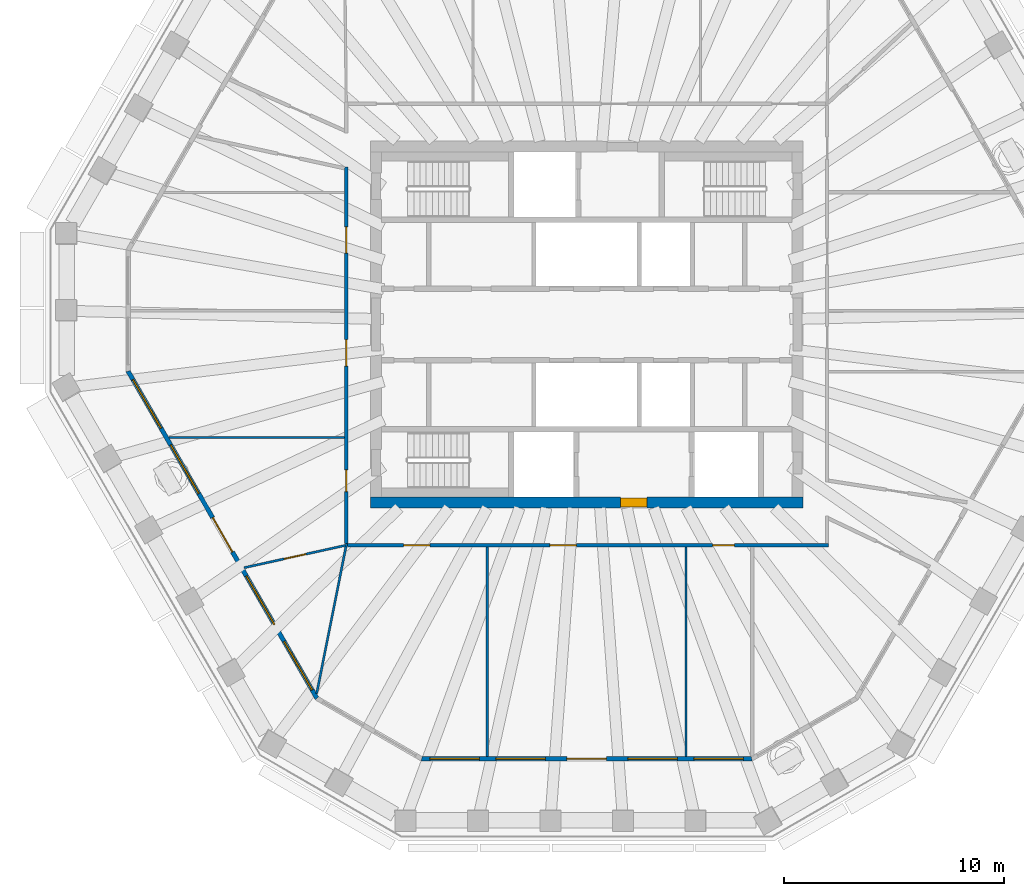
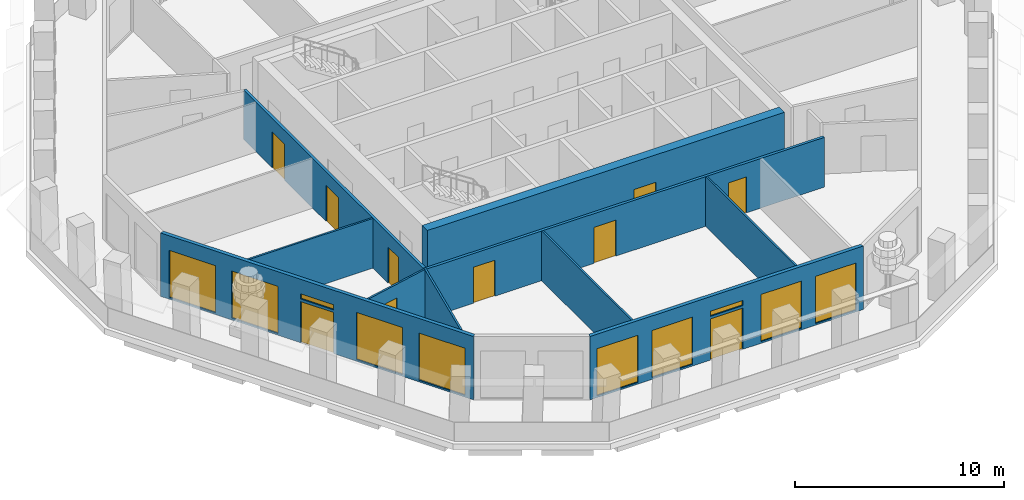
# One storey, part 3 of 11: 10 doors, 10 walls, 10 windows, 20 openings.
"""IFC4 building model written with IfcOpenShell, lengths in metres."""

from ifc_helpers import new_model, si_unit, direction, frame, frame_2d, origin, place, context, subcontext, project, spatial, polyline, rectangle, outline, extrude, material, layer, layer_set, type_object, element, fill, save


model = new_model("IFC4")

# Units and contexts
model_context = context("Model", 3, precision=1e-05, world=origin(), true_north=direction((0.0, 1.0)))
body_context = subcontext(model_context, "Body", "Model", "MODEL_VIEW")
ifc_project = project(units=[si_unit("LENGTHUNIT", "METRE"), si_unit("AREAUNIT", "SQUARE_METRE"), si_unit("VOLUMEUNIT", "CUBIC_METRE"), si_unit("PLANEANGLEUNIT", "RADIAN"), si_unit("MASSUNIT", "GRAM", prefix="KILO")], contexts=[model_context])

# Site, building, storey
site_placement = place(None, origin())
site = spatial("IfcSite", under=ifc_project, at=site_placement, CompositionType="ELEMENT")
building_placement = place(site_placement, origin())
building = spatial("IfcBuilding", under=site, at=building_placement, Name="Frailejon Research Tower", CompositionType="ELEMENT")
storey_placement = place(building_placement, frame((0.0, 0.0, 283.0)))
storey = spatial("IfcBuildingStorey", under=building, at=storey_placement, Name="L62", CompositionType="ELEMENT", Elevation=283.0)

# Wall, opening, door
ifc_material_1 = material(Name="Concrete C50/60", Category="concrete")
ifc_layer_1 = layer(ifc_material_1, 0.5)
ifc_layer_set_1 = layer_set([ifc_layer_1], Name="Core shear wall 500 C50/60")
wall_type_1 = type_object("IfcWallType", Name="Core shear wall 500 C50/60", PredefinedType="SHEAR", material=ifc_layer_set_1)
wall_1_placement = place(storey_placement, frame((-9.85009765625, -8.10009765625, 0.0), z_axis=(0.0, 0.0, 1.0), x_axis=(1.0, 0.0, 0.0)))
wall_1 = element("IfcWall", 1, at=wall_1_placement, inside=storey, type_object=wall_type_1, Name="Core shear wall", PredefinedType="SHEAR", context=body_context, shape_type="SweptSolid", body=[
    extrude(rectangle(XDim=19.7001953125, YDim=0.5, at=frame_2d((9.85009765625, 0.0))), origin(), (0.0, 0.0, 1.0), 3.699951171875),
])
opening_1_placement = place(wall_1_placement, frame((11.39990234375, 0.0, 0.0)))
opening_1 = element("IfcOpeningElement", 2, at=opening_1_placement, cuts=wall_1, Name="Opening D3", PredefinedType="OPENING", context=body_context, shape_type="SweptSolid", body=[
    extrude(rectangle(XDim=1.199951171875, YDim=2.10009765625, at=frame_2d((0.60009765625, 1.050048828125))), frame((0.0, 0.260009765625, 0.0), z_axis=(0.0, -1.0, 0.0), x_axis=(1.0, 0.0, 0.0)), (0.0, 0.0, 1.0), 0.52001953125),
])
ifc_material_2 = material(Name="Steel", Category="steel")
door_type_1 = type_object("IfcDoorType", Name="Firefighting lobby door", OperationType="SINGLE_SWING_LEFT", PredefinedType="DOOR", material=ifc_material_2)
door_1_placement = place(opening_1_placement, origin())
door_1 = element("IfcDoor", 3, at=door_1_placement, inside=storey, type_object=door_type_1, Name="Firefighting lobby door", OperationType="SINGLE_SWING_LEFT", OverallHeight=2.10009765625, OverallWidth=1.199951171875, PredefinedType="DOOR", context=body_context, shape_type="SweptSolid", body=[
    extrude(rectangle(XDim=1.199951171875, YDim=2.10009765625, at=frame_2d((0.60009765625, 1.050048828125))), frame((0.0, 0.199951171875, 0.0), z_axis=(0.0, -1.0, 0.0), x_axis=(1.0, 0.0, 0.0)), (0.0, 0.0, 1.0), 0.39990234375),
])
fill(opening_1, door_1)

# Wall, openings, doors
ifc_material_3 = material(Name="Gypsum board and masonry partition", Category="masonry")
ifc_layer_2 = layer(ifc_material_3, 0.14990234375)
ifc_layer_set_2 = layer_set([ifc_layer_2], Name="Corridor wall EI 60, gypsum on steel studs 150")
wall_type_2 = type_object("IfcWallType", Name="Corridor wall EI 60, gypsum on steel studs 150", PredefinedType="PARTITIONING", material=ifc_layer_set_2)
wall_2_placement = place(storey_placement, frame((-10.949951171875, -9.97509765625, 0.0), z_axis=(0.0, 0.0, 1.0), x_axis=(0.0, 1.0, 0.0)))
wall_2 = element("IfcWall", 4, at=wall_2_placement, inside=storey, type_object=wall_type_2, Name="T:IW:L62:008", PredefinedType="PARTITIONING", context=body_context, shape_type="SweptSolid", body=[
    extrude(rectangle(XDim=17.150146484375, YDim=0.14990234375, at=frame_2d((8.5751953125, 0.0))), origin(), (0.0, 0.0, 1.0), 2.89990234375),
])
opening_2_placement = place(wall_2_placement, frame((13.222900390625, 0.0, 0.0)))
opening_2 = element("IfcOpeningElement", 5, at=opening_2_placement, cuts=wall_2, Name="Opening D2195", PredefinedType="OPENING", context=body_context, shape_type="SweptSolid", body=[
    extrude(rectangle(XDim=1.199951171875, YDim=2.10009765625, at=frame_2d((0.60009765625, 1.050048828125))), frame((0.0, 0.0849609375, 0.0), z_axis=(0.0, -1.0, 0.0), x_axis=(1.0, 0.0, 0.0)), (0.0, 0.0, 1.0), 0.169921875),
])
opening_3_placement = place(wall_2_placement, frame((8.08642578125, 0.0, 0.0)))
opening_3 = element("IfcOpeningElement", 6, at=opening_3_placement, cuts=wall_2, Name="Opening D2196", PredefinedType="OPENING", context=body_context, shape_type="SweptSolid", body=[
    extrude(rectangle(XDim=1.199951171875, YDim=2.10009765625, at=frame_2d((0.60009765625, 1.050048828125))), frame((0.0, 0.0849609375, 0.0), z_axis=(0.0, -1.0, 0.0), x_axis=(1.0, 0.0, 0.0)), (0.0, 0.0, 1.0), 0.169921875),
])
opening_4_placement = place(wall_2_placement, frame((2.361572265625, 0.0, 0.0)))
opening_4 = element("IfcOpeningElement", 7, at=opening_4_placement, cuts=wall_2, Name="Opening D2197", PredefinedType="OPENING", context=body_context, shape_type="SweptSolid", body=[
    extrude(rectangle(XDim=1.0, YDim=2.10009765625, at=frame_2d((0.5, 1.050048828125))), frame((0.0, 0.0849609375, 0.0), z_axis=(0.0, -1.0, 0.0), x_axis=(1.0, 0.0, 0.0)), (0.0, 0.0, 1.0), 0.169921875),
])
ifc_material_4 = material(Name="Timber door leaf", Category="wood")
door_type_2 = type_object("IfcDoorType", Name="Door single leaf, timber, steel frame 1000", OperationType="NOTDEFINED", PredefinedType="DOOR", material=ifc_material_4)
door_2_placement = place(opening_4_placement, origin())
door_2 = element("IfcDoor", 8, at=door_2_placement, inside=storey, type_object=door_type_2, Name="D2197", OperationType="SINGLE_SWING_RIGHT", OverallHeight=2.10009765625, OverallWidth=1.0, PredefinedType="DOOR", context=body_context, shape_type="SweptSolid", body=[
    extrude(rectangle(XDim=1.0, YDim=2.10009765625, at=frame_2d((0.5, 1.050048828125))), frame((0.0, 0.02490234375, 0.0), z_axis=(0.0, -1.0, 0.0), x_axis=(1.0, 0.0, 0.0)), (0.0, 0.0, 1.0), 0.050048828125),
])
fill(opening_4, door_2)
ifc_material_5 = material(Name="Timber door leaf", Category="wood")
door_type_3 = type_object("IfcDoorType", Name="Door single leaf, timber, steel frame 1200", OperationType="NOTDEFINED", PredefinedType="DOOR", material=ifc_material_5)
door_3_placement = place(opening_2_placement, origin())
door_3 = element("IfcDoor", 9, at=door_3_placement, inside=storey, type_object=door_type_3, Name="D2195", OperationType="DOUBLE_DOOR_SINGLE_SWING", OverallHeight=2.10009765625, OverallWidth=1.199951171875, PredefinedType="DOOR", context=body_context, shape_type="SweptSolid", body=[
    extrude(rectangle(XDim=1.199951171875, YDim=2.10009765625, at=frame_2d((0.60009765625, 1.050048828125))), frame((0.0, 0.02490234375, 0.0), z_axis=(0.0, -1.0, 0.0), x_axis=(1.0, 0.0, 0.0)), (0.0, 0.0, 1.0), 0.050048828125),
])
fill(opening_2, door_3)
door_4_placement = place(opening_3_placement, origin())
door_4 = element("IfcDoor", 10, at=door_4_placement, inside=storey, type_object=door_type_3, Name="D2196", OperationType="DOUBLE_DOOR_SINGLE_SWING", OverallHeight=2.10009765625, OverallWidth=1.199951171875, PredefinedType="DOOR", context=body_context, shape_type="SweptSolid", body=[
    extrude(rectangle(XDim=1.199951171875, YDim=2.10009765625, at=frame_2d((0.60009765625, 1.050048828125))), frame((0.0, 0.02490234375, 0.0), z_axis=(0.0, -1.0, 0.0), x_axis=(1.0, 0.0, 0.0)), (0.0, 0.0, 1.0), 0.050048828125),
])
fill(opening_3, door_4)

wall_3_placement = place(storey_placement, frame((-10.89990234375, -10.050048828125, 0.0), z_axis=(0.0, 0.0, 1.0), x_axis=(1.0, 0.0, 0.0)))
wall_3 = element("IfcWall", 11, at=wall_3_placement, inside=storey, type_object=wall_type_2, Name="T:IW:L62:010", PredefinedType="PARTITIONING", context=body_context, shape_type="SweptSolid", body=[
    extrude(rectangle(XDim=21.9248046875, YDim=0.14990234375, at=frame_2d((10.96240234375, 0.0))), origin(), (0.0, 0.0, 1.0), 2.89990234375),
])
opening_5_placement = place(wall_3_placement, frame((2.562255859375, 0.0, 0.0)))
opening_5 = element("IfcOpeningElement", 12, at=opening_5_placement, cuts=wall_3, Name="Opening D2199", PredefinedType="OPENING", context=body_context, shape_type="SweptSolid", body=[
    extrude(rectangle(XDim=1.199951171875, YDim=2.10009765625, at=frame_2d((0.60009765625, 1.050048828125))), frame((0.0, 0.0849609375, 0.0), z_axis=(0.0, -1.0, 0.0), x_axis=(1.0, 0.0, 0.0)), (0.0, 0.0, 1.0), 0.169921875),
])
opening_6_placement = place(wall_3_placement, frame((9.227294921875, 0.0, 0.0)))
opening_6 = element("IfcOpeningElement", 13, at=opening_6_placement, cuts=wall_3, Name="Opening D2200", PredefinedType="OPENING", context=body_context, shape_type="SweptSolid", body=[
    extrude(rectangle(XDim=1.199951171875, YDim=2.10009765625, at=frame_2d((0.60009765625, 1.050048828125))), frame((0.0, 0.0849609375, 0.0), z_axis=(0.0, -1.0, 0.0), x_axis=(1.0, 0.0, 0.0)), (0.0, 0.0, 1.0), 0.169921875),
])
opening_7_placement = place(wall_3_placement, frame((16.6318359375, 0.0, 0.0)))
opening_7 = element("IfcOpeningElement", 14, at=opening_7_placement, cuts=wall_3, Name="Opening D2201", PredefinedType="OPENING", context=body_context, shape_type="SweptSolid", body=[
    extrude(rectangle(XDim=1.0, YDim=2.10009765625, at=frame_2d((0.5, 1.050048828125))), frame((0.0, 0.0849609375, 0.0), z_axis=(0.0, -1.0, 0.0), x_axis=(1.0, 0.0, 0.0)), (0.0, 0.0, 1.0), 0.169921875),
])
door_5_placement = place(opening_7_placement, origin())
door_5 = element("IfcDoor", 15, at=door_5_placement, inside=storey, type_object=door_type_2, Name="D2201", OperationType="SINGLE_SWING_LEFT", OverallHeight=2.10009765625, OverallWidth=1.0, PredefinedType="DOOR", context=body_context, shape_type="SweptSolid", body=[
    extrude(rectangle(XDim=1.0, YDim=2.10009765625, at=frame_2d((0.5, 1.050048828125))), frame((0.0, 0.02490234375, 0.0), z_axis=(0.0, -1.0, 0.0), x_axis=(1.0, 0.0, 0.0)), (0.0, 0.0, 1.0), 0.050048828125),
])
fill(opening_7, door_5)
door_6_placement = place(opening_5_placement, origin())
door_6 = element("IfcDoor", 16, at=door_6_placement, inside=storey, type_object=door_type_3, Name="D2199", OperationType="DOUBLE_DOOR_SINGLE_SWING", OverallHeight=2.10009765625, OverallWidth=1.199951171875, PredefinedType="DOOR", context=body_context, shape_type="SweptSolid", body=[
    extrude(rectangle(XDim=1.199951171875, YDim=2.10009765625, at=frame_2d((0.60009765625, 1.050048828125))), frame((0.0, 0.02490234375, 0.0), z_axis=(0.0, -1.0, 0.0), x_axis=(1.0, 0.0, 0.0)), (0.0, 0.0, 1.0), 0.050048828125),
])
fill(opening_5, door_6)
door_7_placement = place(opening_6_placement, origin())
door_7 = element("IfcDoor", 17, at=door_7_placement, inside=storey, type_object=door_type_3, Name="D2200", OperationType="DOUBLE_DOOR_SINGLE_SWING", OverallHeight=2.10009765625, OverallWidth=1.199951171875, PredefinedType="DOOR", context=body_context, shape_type="SweptSolid", body=[
    extrude(rectangle(XDim=1.199951171875, YDim=2.10009765625, at=frame_2d((0.60009765625, 1.050048828125))), frame((0.0, 0.02490234375, 0.0), z_axis=(0.0, -1.0, 0.0), x_axis=(1.0, 0.0, 0.0)), (0.0, 0.0, 1.0), 0.050048828125),
])
fill(opening_6, door_7)

# Wall
ifc_material_6 = material(Name="Gypsum board and masonry partition", Category="masonry")
ifc_layer_3 = layer(ifc_material_6, 0.10009765625)
ifc_layer_set_3 = layer_set([ifc_layer_3], Name="Partition, gypsum on steel studs 100")
wall_type_3 = type_object("IfcWallType", Name="Partition, gypsum on steel studs 100", PredefinedType="PARTITIONING", material=ifc_layer_set_3)
wall_4_placement = place(storey_placement, frame((-19.029541015625, -5.139892578125, 0.0), z_axis=(0.0, 0.0, 1.0), x_axis=(1.0, 0.0, 0.0)))
element("IfcWall", 18, at=wall_4_placement, inside=storey, type_object=wall_type_3, Name="T:IW:L62:021", PredefinedType="PARTITIONING", context=body_context, shape_type="SweptSolid", body=[
    extrude(rectangle(XDim=8.004638671875, YDim=0.10009765625, at=frame_2d((4.00244140625, 0.0))), origin(), (0.0, 0.0, 1.0), 2.89990234375),
])

# Wall, opening, door
wall_5_placement = place(storey_placement, frame((-15.60302734375, -11.074951171875, 0.0), z_axis=(0.0, 0.0, 1.0), x_axis=(0.976589885457, 0.215109729264, 0.0)))
wall_5 = element("IfcWall", 19, at=wall_5_placement, inside=storey, type_object=wall_type_3, Name="T:IW:L62:022", PredefinedType="PARTITIONING", context=body_context, shape_type="SweptSolid", body=[
    extrude(rectangle(XDim=4.714599609375, YDim=0.10009765625, at=frame_2d((2.357421875, 0.0))), origin(), (0.0, 0.0, 1.0), 2.89990234375),
])
opening_8_placement = place(wall_5_placement, frame((1.882080078125, 0.0, 0.0)))
opening_8 = element("IfcOpeningElement", 20, at=opening_8_placement, cuts=wall_5, Name="Opening D2198", PredefinedType="OPENING", context=body_context, shape_type="SweptSolid", body=[
    extrude(rectangle(XDim=1.0, YDim=2.10009765625, at=frame_2d((0.5, 1.050048828125))), frame((0.0, 0.06005859375, 0.0), z_axis=(0.0, -1.0, 0.0), x_axis=(1.0, 0.0, 0.0)), (0.0, 0.0, 1.0), 0.1201171875),
])
door_8_placement = place(opening_8_placement, origin())
door_8 = element("IfcDoor", 21, at=door_8_placement, inside=storey, type_object=door_type_2, Name="D2198", OperationType="SINGLE_SWING_LEFT", OverallHeight=2.10009765625, OverallWidth=1.0, PredefinedType="DOOR", context=body_context, shape_type="SweptSolid", body=[
    extrude(rectangle(XDim=1.0, YDim=2.10009765625, at=frame_2d((0.5, 1.050048828125))), frame((0.0, 0.02490234375, 0.0), z_axis=(0.0, -1.0, 0.0), x_axis=(1.0, 0.0, 0.0)), (0.0, 0.0, 1.0), 0.050048828125),
])
fill(opening_8, door_8)

# Walls
wall_6_placement = place(storey_placement, frame((-12.2958984375, -16.802734375, 0.0), z_axis=(0.0, 0.0, 1.0), x_axis=(0.195468568515, 0.980709966668, 0.0)))
element("IfcWall", 22, at=wall_6_placement, inside=storey, type_object=wall_type_3, Name="T:IW:L62:023", PredefinedType="PARTITIONING", context=body_context, shape_type="SweptSolid", body=[
    extrude(rectangle(XDim=6.960693359375, YDim=0.10009765625, at=frame_2d((3.48046875, 0.0))), origin(), (0.0, 0.0, 1.0), 2.89990234375),
])
for number, where, z_axis, x_axis, name in (
    (23, (-4.525634765625, -19.678466796875, 0.0), (0.0, 0.0, 1.0), (0.0, 1.0, 0.0), "T:IW:L62:024"),
    (24, (4.525634765625, -19.678466796875, 0.0), (0.0, 0.0, 1.0), (0.0, 1.0, 0.0), "T:IW:L62:025"),
):
    element("IfcWall", number, at=place(storey_placement, frame(where, z_axis=z_axis, x_axis=x_axis)), inside=storey, type_object=wall_type_3, Name=name, PredefinedType="PARTITIONING", context=body_context, shape_type="SweptSolid", body=[
        extrude(rectangle(XDim=9.553466796875, YDim=0.10009765625, at=frame_2d((4.77685546875, 0.0))), origin(), (0.0, 0.0, 1.0), 2.89990234375),
    ])

# Wall, openings, door, windows
ifc_material_7 = material(Name="Concrete C40/50 precast window wall panel", Category="concrete")
ifc_layer_4 = layer(ifc_material_7, 0.199951171875)
ifc_layer_set_4 = layer_set([ifc_layer_4], Name="Window wall 200")
wall_type_4 = type_object("IfcWallType", Name="Window wall 200", PredefinedType="SOLIDWALL", material=ifc_layer_set_4)
wall_7_placement = place(storey_placement, frame((-20.88671875, -2.123291015625, 0.0), z_axis=(0.0, 0.0, 1.0), x_axis=(0.500006945931, -0.866021393512, 0.0)))
wall_7 = element("IfcWall", 25, at=wall_7_placement, inside=storey, type_object=wall_type_4, Name="Exterior wall L62", PredefinedType="SOLIDWALL", context=body_context, shape_type="SweptSolid", body=[
    extrude(outline(polyline([(-0.02685546875, -0.10009765625), (0.988525390625, -0.10009765625), (2.004150390625, -0.10009765625), (3.01953125, -0.10009765625), (4.034912109375, -0.10009765625), (5.050537109375, -0.10009765625), (6.06591796875, -0.10009765625), (7.081298828125, -0.10009765625), (8.096923828125, -0.10009765625), (9.1123046875, -0.10009765625), (10.1279296875, -0.10009765625), (11.143310546875, -0.10009765625), (12.15869140625, -0.10009765625), (13.17431640625, -0.10009765625), (14.189697265625, -0.10009765625), (15.205078125, -0.10009765625), (16.220703125, -0.10009765625), (17.236083984375, -0.10009765625), (17.182373046875, 0.10009765625), (16.17333984375, 0.10009765625), (15.1640625, 0.10009765625), (14.155029296875, 0.10009765625), (13.145751953125, 0.10009765625), (12.13671875, 0.10009765625), (11.12744140625, 0.10009765625), (10.118408203125, 0.10009765625), (9.109130859375, 0.10009765625), (8.10009765625, 0.10009765625), (7.0908203125, 0.10009765625), (6.081787109375, 0.10009765625), (5.072509765625, 0.10009765625), (4.0634765625, 0.10009765625), (3.05419921875, 0.10009765625), (2.045166015625, 0.10009765625), (1.035888671875, 0.10009765625), (0.02685546875, 0.10009765625), (-0.02685546875, -0.10009765625)])), origin(), (0.0, 0.0, 1.0), 3.699951171875),
])
opening_9_placement = place(wall_7_placement, frame((0.44580078125, 0.0, 0.10009765625)))
opening_9 = element("IfcOpeningElement", 26, at=opening_9_placement, cuts=wall_7, Name="Opening W25", PredefinedType="OPENING", context=body_context, shape_type="SweptSolid", body=[
    extrude(rectangle(XDim=2.550048828125, YDim=2.75, at=frame_2d((1.27490234375, 1.375))), frame((0.0, 0.10986328125, 0.0), z_axis=(0.0, -1.0, 0.0), x_axis=(1.0, 0.0, 0.0)), (0.0, 0.0, 1.0), 0.219970703125),
])
opening_10_placement = place(wall_7_placement, frame((3.8876953125, 0.0, 0.10009765625)))
opening_10 = element("IfcOpeningElement", 27, at=opening_10_placement, cuts=wall_7, Name="Opening W25", PredefinedType="OPENING", context=body_context, shape_type="SweptSolid", body=[
    extrude(rectangle(XDim=2.550048828125, YDim=2.75, at=frame_2d((1.27490234375, 1.375))), frame((0.0, 0.10986328125, 0.0), z_axis=(0.0, -1.0, 0.0), x_axis=(1.0, 0.0, 0.0)), (0.0, 0.0, 1.0), 0.219970703125),
])
opening_11_placement = place(wall_7_placement, frame((7.70458984375, 0.0, 0.0)))
opening_11 = element("IfcOpeningElement", 28, at=opening_11_placement, cuts=wall_7, Name="Opening LG62-4", PredefinedType="OPENING", context=body_context, shape_type="SweptSolid", body=[
    extrude(rectangle(XDim=1.800048828125, YDim=2.39990234375, at=frame_2d((0.89990234375, 1.199951171875))), frame((0.0, 0.10986328125, 0.0), z_axis=(0.0, -1.0, 0.0), x_axis=(1.0, 0.0, 0.0)), (0.0, 0.0, 1.0), 0.219970703125),
])
opening_12_placement = place(wall_7_placement, frame((7.70458984375, 0.0, 2.550048828125)))
opening_12 = element("IfcOpeningElement", 29, at=opening_12_placement, cuts=wall_7, Name="Opening W24", PredefinedType="OPENING", context=body_context, shape_type="SweptSolid", body=[
    extrude(rectangle(XDim=1.800048828125, YDim=0.300048828125, at=frame_2d((0.89990234375, 0.14990234375))), frame((0.0, 0.10986328125, 0.0), z_axis=(0.0, -1.0, 0.0), x_axis=(1.0, 0.0, 0.0)), (0.0, 0.0, 1.0), 0.219970703125),
])
opening_13_placement = place(wall_7_placement, frame((10.771484375, 0.0, 0.10009765625)))
opening_13 = element("IfcOpeningElement", 30, at=opening_13_placement, cuts=wall_7, Name="Opening W25", PredefinedType="OPENING", context=body_context, shape_type="SweptSolid", body=[
    extrude(rectangle(XDim=2.550048828125, YDim=2.75, at=frame_2d((1.27490234375, 1.375))), frame((0.0, 0.10986328125, 0.0), z_axis=(0.0, -1.0, 0.0), x_axis=(1.0, 0.0, 0.0)), (0.0, 0.0, 1.0), 0.219970703125),
])
opening_14_placement = place(wall_7_placement, frame((14.21337890625, 0.0, 0.10009765625)))
opening_14 = element("IfcOpeningElement", 31, at=opening_14_placement, cuts=wall_7, Name="Opening W25", PredefinedType="OPENING", context=body_context, shape_type="SweptSolid", body=[
    extrude(rectangle(XDim=2.550048828125, YDim=2.75, at=frame_2d((1.27490234375, 1.375))), frame((0.0, 0.10986328125, 0.0), z_axis=(0.0, -1.0, 0.0), x_axis=(1.0, 0.0, 0.0)), (0.0, 0.0, 1.0), 0.219970703125),
])
ifc_material_8 = material(Name="Aluminium framed glazed door leaf", Category="aluminium")
door_type_4 = type_object("IfcDoorType", Name="Loggia door 1800x2400", OperationType="DOUBLE_DOOR_SINGLE_SWING", PredefinedType="DOOR", material=ifc_material_8)
door_9_placement = place(opening_11_placement, origin())
door_9 = element("IfcDoor", 32, at=door_9_placement, inside=storey, type_object=door_type_4, Name="Door LG62-4", OperationType="DOUBLE_DOOR_SINGLE_SWING", OverallHeight=2.39990234375, OverallWidth=1.800048828125, PredefinedType="DOOR", context=body_context, shape_type="SweptSolid", body=[
    extrude(rectangle(XDim=1.800048828125, YDim=2.39990234375, at=frame_2d((0.89990234375, 1.199951171875))), frame((0.0, 0.02490234375, 0.0), z_axis=(0.0, -1.0, 0.0), x_axis=(1.0, 0.0, 0.0)), (0.0, 0.0, 1.0), 0.050048828125),
])
fill(opening_11, door_9)
ifc_material_9 = material(Name="Aluminium framed double glazing", Category="aluminium")
window_type_1 = type_object("IfcWindowType", Name="Window 1800x300", PartitioningType="SINGLE_PANEL", PredefinedType="WINDOW", material=ifc_material_9)
window_1_placement = place(opening_12_placement, origin())
window_1 = element("IfcWindow", 33, at=window_1_placement, inside=storey, type_object=window_type_1, Name="Window L62", OverallHeight=0.300048828125, OverallWidth=1.800048828125, PartitioningType="SINGLE_PANEL", PredefinedType="WINDOW", context=body_context, shape_type="SweptSolid", body=[
    extrude(rectangle(XDim=1.800048828125, YDim=0.300048828125, at=frame_2d((0.89990234375, 0.14990234375))), frame((0.0, 0.030029296875, 0.0), z_axis=(0.0, -1.0, 0.0), x_axis=(1.0, 0.0, 0.0)), (0.0, 0.0, 1.0), 0.06005859375),
])
fill(opening_12, window_1)
ifc_material_10 = material(Name="Aluminium framed double glazing", Category="aluminium")
window_type_2 = type_object("IfcWindowType", Name="Window 2550x2750", PartitioningType="SINGLE_PANEL", PredefinedType="WINDOW", material=ifc_material_10)
window_2_placement = place(opening_9_placement, origin())
window_2 = element("IfcWindow", 34, at=window_2_placement, inside=storey, type_object=window_type_2, Name="Window L62", OverallHeight=2.75, OverallWidth=2.550048828125, PartitioningType="SINGLE_PANEL", PredefinedType="WINDOW", context=body_context, shape_type="SweptSolid", body=[
    extrude(rectangle(XDim=2.550048828125, YDim=2.75, at=frame_2d((1.27490234375, 1.375))), frame((0.0, 0.030029296875, 0.0), z_axis=(0.0, -1.0, 0.0), x_axis=(1.0, 0.0, 0.0)), (0.0, 0.0, 1.0), 0.06005859375),
])
fill(opening_9, window_2)
window_3_placement = place(opening_10_placement, origin())
window_3 = element("IfcWindow", 35, at=window_3_placement, inside=storey, type_object=window_type_2, Name="Window L62", OverallHeight=2.75, OverallWidth=2.550048828125, PartitioningType="SINGLE_PANEL", PredefinedType="WINDOW", context=body_context, shape_type="SweptSolid", body=[
    extrude(rectangle(XDim=2.550048828125, YDim=2.75, at=frame_2d((1.27490234375, 1.375))), frame((0.0, 0.030029296875, 0.0), z_axis=(0.0, -1.0, 0.0), x_axis=(1.0, 0.0, 0.0)), (0.0, 0.0, 1.0), 0.06005859375),
])
fill(opening_10, window_3)
window_4_placement = place(opening_13_placement, origin())
window_4 = element("IfcWindow", 36, at=window_4_placement, inside=storey, type_object=window_type_2, Name="Window L62", OverallHeight=2.75, OverallWidth=2.550048828125, PartitioningType="SINGLE_PANEL", PredefinedType="WINDOW", context=body_context, shape_type="SweptSolid", body=[
    extrude(rectangle(XDim=2.550048828125, YDim=2.75, at=frame_2d((1.27490234375, 1.375))), frame((0.0, 0.030029296875, 0.0), z_axis=(0.0, -1.0, 0.0), x_axis=(1.0, 0.0, 0.0)), (0.0, 0.0, 1.0), 0.06005859375),
])
fill(opening_13, window_4)
window_5_placement = place(opening_14_placement, origin())
window_5 = element("IfcWindow", 37, at=window_5_placement, inside=storey, type_object=window_type_2, Name="Window L62", OverallHeight=2.75, OverallWidth=2.550048828125, PartitioningType="SINGLE_PANEL", PredefinedType="WINDOW", context=body_context, shape_type="SweptSolid", body=[
    extrude(rectangle(XDim=2.550048828125, YDim=2.75, at=frame_2d((1.27490234375, 1.375))), frame((0.0, 0.030029296875, 0.0), z_axis=(0.0, -1.0, 0.0), x_axis=(1.0, 0.0, 0.0)), (0.0, 0.0, 1.0), 0.06005859375),
])
fill(opening_14, window_5)

wall_8_placement = place(storey_placement, frame((-7.51611328125, -19.778564453125, 0.0), z_axis=(0.0, 0.0, 1.0), x_axis=(1.0, 0.0, 0.0)))
wall_8 = element("IfcWall", 38, at=wall_8_placement, inside=storey, type_object=wall_type_4, Name="Exterior wall L62", PredefinedType="SOLIDWALL", context=body_context, shape_type="SweptSolid", body=[
    extrude(outline(polyline([(-0.02685546875, -0.10009765625), (0.978759765625, -0.10009765625), (1.984619140625, -0.10009765625), (2.990234375, -0.10009765625), (3.99609375, -0.10009765625), (5.001708984375, -0.10009765625), (6.007568359375, -0.10009765625), (7.01318359375, -0.10009765625), (8.01904296875, -0.10009765625), (9.024658203125, -0.10009765625), (10.030517578125, -0.10009765625), (11.0361328125, -0.10009765625), (12.0419921875, -0.10009765625), (13.047607421875, -0.10009765625), (14.053466796875, -0.10009765625), (15.05908203125, -0.10009765625), (15.00537109375, 0.10009765625), (14.0068359375, 0.10009765625), (13.00830078125, 0.10009765625), (12.009765625, 0.10009765625), (11.010986328125, 0.10009765625), (10.012451171875, 0.10009765625), (9.013916015625, 0.10009765625), (8.015380859375, 0.10009765625), (7.016845703125, 0.10009765625), (6.018310546875, 0.10009765625), (5.019775390625, 0.10009765625), (4.021240234375, 0.10009765625), (3.0224609375, 0.10009765625), (2.02392578125, 0.10009765625), (1.025390625, 0.10009765625), (0.02685546875, 0.10009765625), (-0.02685546875, -0.10009765625)])), origin(), (0.0, 0.0, 1.0), 3.699951171875),
])
opening_15_placement = place(wall_8_placement, frame((0.378173828125, 0.0, 0.10009765625)))
opening_15 = element("IfcOpeningElement", 39, at=opening_15_placement, cuts=wall_8, Name="Opening W23", PredefinedType="OPENING", context=body_context, shape_type="SweptSolid", body=[
    extrude(rectangle(XDim=2.25, YDim=2.75, at=frame_2d((1.125, 1.375))), frame((0.0, 0.10986328125, 0.0), z_axis=(0.0, -1.0, 0.0), x_axis=(1.0, 0.0, 0.0)), (0.0, 0.0, 1.0), 0.219970703125),
])
opening_16_placement = place(wall_8_placement, frame((3.384521484375, 0.0, 0.10009765625)))
opening_16 = element("IfcOpeningElement", 40, at=opening_16_placement, cuts=wall_8, Name="Opening W23", PredefinedType="OPENING", context=body_context, shape_type="SweptSolid", body=[
    extrude(rectangle(XDim=2.25, YDim=2.75, at=frame_2d((1.125, 1.375))), frame((0.0, 0.10986328125, 0.0), z_axis=(0.0, -1.0, 0.0), x_axis=(1.0, 0.0, 0.0)), (0.0, 0.0, 1.0), 0.219970703125),
])
opening_17_placement = place(wall_8_placement, frame((6.615966796875, 0.0, 0.0)))
opening_17 = element("IfcOpeningElement", 41, at=opening_17_placement, cuts=wall_8, Name="Opening LG62-5", PredefinedType="OPENING", context=body_context, shape_type="SweptSolid", body=[
    extrude(rectangle(XDim=1.800048828125, YDim=2.39990234375, at=frame_2d((0.89990234375, 1.199951171875))), frame((0.0, 0.10986328125, 0.0), z_axis=(0.0, -1.0, 0.0), x_axis=(1.0, 0.0, 0.0)), (0.0, 0.0, 1.0), 0.219970703125),
])
opening_18_placement = place(wall_8_placement, frame((6.615966796875, 0.0, 2.550048828125)))
opening_18 = element("IfcOpeningElement", 42, at=opening_18_placement, cuts=wall_8, Name="Opening W24", PredefinedType="OPENING", context=body_context, shape_type="SweptSolid", body=[
    extrude(rectangle(XDim=1.800048828125, YDim=0.300048828125, at=frame_2d((0.89990234375, 0.14990234375))), frame((0.0, 0.10986328125, 0.0), z_axis=(0.0, -1.0, 0.0), x_axis=(1.0, 0.0, 0.0)), (0.0, 0.0, 1.0), 0.219970703125),
])
opening_19_placement = place(wall_8_placement, frame((9.3974609375, 0.0, 0.10009765625)))
opening_19 = element("IfcOpeningElement", 43, at=opening_19_placement, cuts=wall_8, Name="Opening W23", PredefinedType="OPENING", context=body_context, shape_type="SweptSolid", body=[
    extrude(rectangle(XDim=2.25, YDim=2.75, at=frame_2d((1.125, 1.375))), frame((0.0, 0.10986328125, 0.0), z_axis=(0.0, -1.0, 0.0), x_axis=(1.0, 0.0, 0.0)), (0.0, 0.0, 1.0), 0.219970703125),
])
opening_20_placement = place(wall_8_placement, frame((12.40380859375, 0.0, 0.10009765625)))
opening_20 = element("IfcOpeningElement", 44, at=opening_20_placement, cuts=wall_8, Name="Opening W23", PredefinedType="OPENING", context=body_context, shape_type="SweptSolid", body=[
    extrude(rectangle(XDim=2.25, YDim=2.75, at=frame_2d((1.125, 1.375))), frame((0.0, 0.10986328125, 0.0), z_axis=(0.0, -1.0, 0.0), x_axis=(1.0, 0.0, 0.0)), (0.0, 0.0, 1.0), 0.219970703125),
])
door_10_placement = place(opening_17_placement, origin())
door_10 = element("IfcDoor", 45, at=door_10_placement, inside=storey, type_object=door_type_4, Name="Door LG62-5", OperationType="DOUBLE_DOOR_SINGLE_SWING", OverallHeight=2.39990234375, OverallWidth=1.800048828125, PredefinedType="DOOR", context=body_context, shape_type="SweptSolid", body=[
    extrude(rectangle(XDim=1.800048828125, YDim=2.39990234375, at=frame_2d((0.89990234375, 1.199951171875))), frame((0.0, 0.02490234375, 0.0), z_axis=(0.0, -1.0, 0.0), x_axis=(1.0, 0.0, 0.0)), (0.0, 0.0, 1.0), 0.050048828125),
])
fill(opening_17, door_10)
window_6_placement = place(opening_18_placement, origin())
window_6 = element("IfcWindow", 46, at=window_6_placement, inside=storey, type_object=window_type_1, Name="Window L62", OverallHeight=0.300048828125, OverallWidth=1.800048828125, PartitioningType="SINGLE_PANEL", PredefinedType="WINDOW", context=body_context, shape_type="SweptSolid", body=[
    extrude(rectangle(XDim=1.800048828125, YDim=0.300048828125, at=frame_2d((0.89990234375, 0.14990234375))), frame((0.0, 0.030029296875, 0.0), z_axis=(0.0, -1.0, 0.0), x_axis=(1.0, 0.0, 0.0)), (0.0, 0.0, 1.0), 0.06005859375),
])
fill(opening_18, window_6)
ifc_material_11 = material(Name="Aluminium framed double glazing", Category="aluminium")
window_type_3 = type_object("IfcWindowType", Name="Window 2250x2750", PartitioningType="SINGLE_PANEL", PredefinedType="WINDOW", material=ifc_material_11)
window_7_placement = place(opening_15_placement, origin())
window_7 = element("IfcWindow", 47, at=window_7_placement, inside=storey, type_object=window_type_3, Name="Window L62", OverallHeight=2.75, OverallWidth=2.25, PartitioningType="SINGLE_PANEL", PredefinedType="WINDOW", context=body_context, shape_type="SweptSolid", body=[
    extrude(rectangle(XDim=2.25, YDim=2.75, at=frame_2d((1.125, 1.375))), frame((0.0, 0.030029296875, 0.0), z_axis=(0.0, -1.0, 0.0), x_axis=(1.0, 0.0, 0.0)), (0.0, 0.0, 1.0), 0.06005859375),
])
fill(opening_15, window_7)
window_8_placement = place(opening_16_placement, origin())
window_8 = element("IfcWindow", 48, at=window_8_placement, inside=storey, type_object=window_type_3, Name="Window L62", OverallHeight=2.75, OverallWidth=2.25, PartitioningType="SINGLE_PANEL", PredefinedType="WINDOW", context=body_context, shape_type="SweptSolid", body=[
    extrude(rectangle(XDim=2.25, YDim=2.75, at=frame_2d((1.125, 1.375))), frame((0.0, 0.030029296875, 0.0), z_axis=(0.0, -1.0, 0.0), x_axis=(1.0, 0.0, 0.0)), (0.0, 0.0, 1.0), 0.06005859375),
])
fill(opening_16, window_8)
window_9_placement = place(opening_19_placement, origin())
window_9 = element("IfcWindow", 49, at=window_9_placement, inside=storey, type_object=window_type_3, Name="Window L62", OverallHeight=2.75, OverallWidth=2.25, PartitioningType="SINGLE_PANEL", PredefinedType="WINDOW", context=body_context, shape_type="SweptSolid", body=[
    extrude(rectangle(XDim=2.25, YDim=2.75, at=frame_2d((1.125, 1.375))), frame((0.0, 0.030029296875, 0.0), z_axis=(0.0, -1.0, 0.0), x_axis=(1.0, 0.0, 0.0)), (0.0, 0.0, 1.0), 0.06005859375),
])
fill(opening_19, window_9)
window_10_placement = place(opening_20_placement, origin())
window_10 = element("IfcWindow", 50, at=window_10_placement, inside=storey, type_object=window_type_3, Name="Window L62", OverallHeight=2.75, OverallWidth=2.25, PartitioningType="SINGLE_PANEL", PredefinedType="WINDOW", context=body_context, shape_type="SweptSolid", body=[
    extrude(rectangle(XDim=2.25, YDim=2.75, at=frame_2d((1.125, 1.375))), frame((0.0, 0.030029296875, 0.0), z_axis=(0.0, -1.0, 0.0), x_axis=(1.0, 0.0, 0.0)), (0.0, 0.0, 1.0), 0.06005859375),
])
fill(opening_20, window_10)

save(model, "model.ifc")
